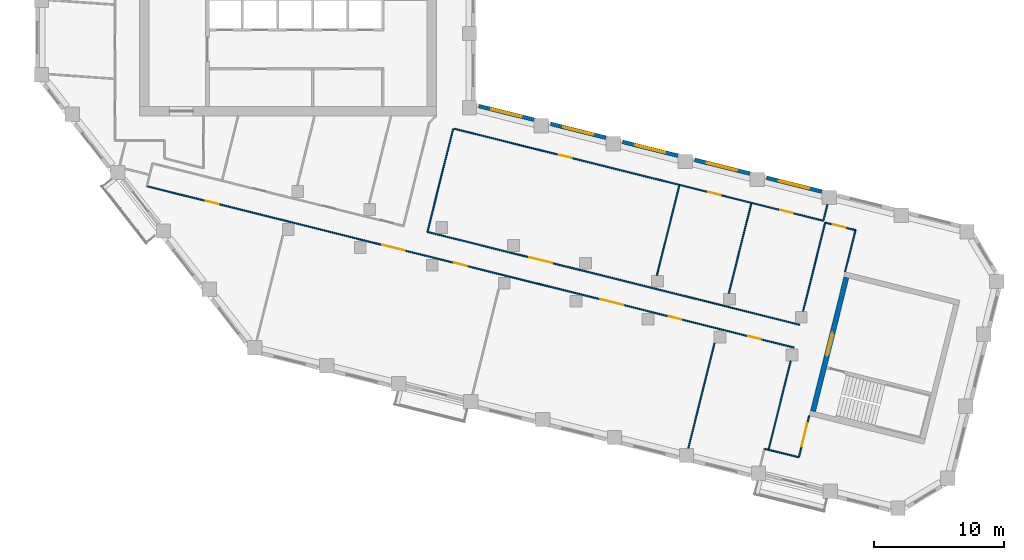
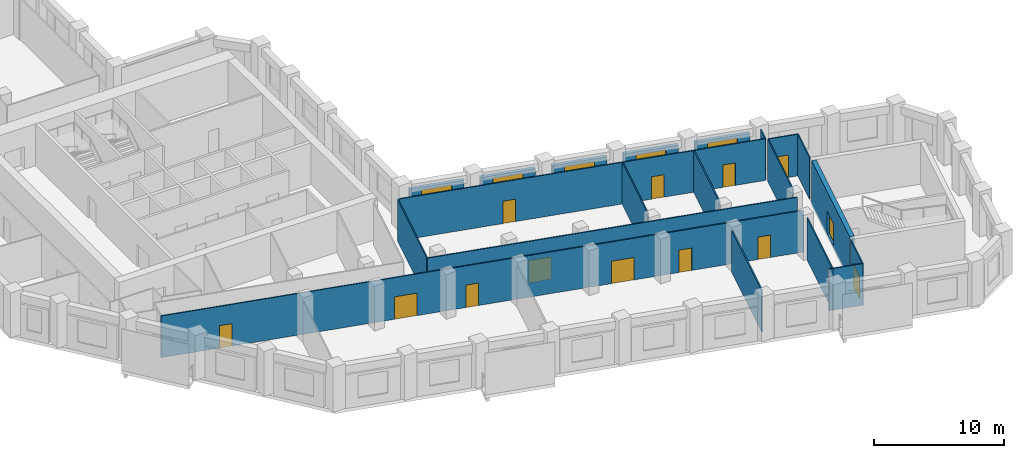
# One storey, part 4 of 10: 21 walls, 13 doors, 5 windows, 18 openings.
"""IFC4 building model written with IfcOpenShell, lengths in metres."""

from ifc_helpers import new_model, si_unit, direction, frame, frame_2d, origin, place, context, subcontext, project, spatial, rectangle, extrude, material, layer, layer_set, type_object, element, fill, save


model = new_model("IFC4")

# Units and contexts
model_context = context("Model", 3, precision=1e-05, world=origin(), true_north=direction((0.0, 1.0)))
body_context = subcontext(model_context, "Body", "Model", "MODEL_VIEW")
ifc_project = project(units=[si_unit("LENGTHUNIT", "METRE"), si_unit("AREAUNIT", "SQUARE_METRE"), si_unit("VOLUMEUNIT", "CUBIC_METRE"), si_unit("PLANEANGLEUNIT", "RADIAN"), si_unit("MASSUNIT", "GRAM", prefix="KILO")], contexts=[model_context])

# Site, building, storey
site_placement = place(None, origin())
site = spatial("IfcSite", under=ifc_project, at=site_placement, CompositionType="ELEMENT")
building_placement = place(site_placement, origin())
building = spatial("IfcBuilding", under=site, at=building_placement, Name="Meshkara Civic Tower", CompositionType="ELEMENT")
storey_placement = place(building_placement, frame((0.0, 0.0, 267.60009765625)))
storey = spatial("IfcBuildingStorey", under=building, at=storey_placement, Name="L61", CompositionType="ELEMENT", Elevation=267.60009765625)

# Wall, openings, doors
ifc_material_1 = material(Name="Corridor wall 100")
ifc_layer_1 = layer(ifc_material_1, 0.10009765625)
ifc_layer_set_1 = layer_set([ifc_layer_1], Name="Corridor wall 100")
wall_type_1 = type_object("IfcWallType", Name="Corridor wall 100", PredefinedType="PARTITIONING", material=ifc_layer_set_1)
wall_1_placement = place(storey_placement, frame((8.550048828125, 8.68505859375, 0.0), z_axis=(0.0, 0.0, 1.0), x_axis=(0.970298026101, -0.241912671319, 0.0)))
wall_1 = element("IfcWall", 1, at=wall_1_placement, inside=storey, type_object=wall_type_1, Name="L61-W006", PredefinedType="PARTITIONING", context=body_context, shape_type="SweptSolid", body=[
    extrude(rectangle(XDim=51.27490234375, YDim=0.10009765625, at=frame_2d((25.637451171875, 0.0))), origin(), (0.0, 0.0, 1.0), 3.89990234375),
])
opening_1_placement = place(wall_1_placement, frame((35.93994140625, 0.0, 0.0)))
opening_1 = element("IfcOpeningElement", 2, at=opening_1_placement, cuts=wall_1, Name="Opening L61-D002", PredefinedType="OPENING", context=body_context, shape_type="SweptSolid", body=[
    extrude(rectangle(XDim=1.800048828125, YDim=2.10009765625, at=frame_2d((0.89990234375, 1.050048828125))), frame((0.0, 0.06005859375, 0.0), z_axis=(0.0, -1.0, 0.0), x_axis=(1.0, 0.0, 0.0)), (0.0, 0.0, 1.0), 0.1201171875),
])
opening_2_placement = place(wall_1_placement, frame((41.340087890625, 0.0, 0.0)))
opening_2 = element("IfcOpeningElement", 3, at=opening_2_placement, cuts=wall_1, Name="Opening L61-D003", PredefinedType="OPENING", context=body_context, shape_type="SweptSolid", body=[
    extrude(rectangle(XDim=1.0, YDim=2.10009765625, at=frame_2d((0.5, 1.050048828125))), frame((0.0, 0.06005859375, 0.0), z_axis=(0.0, -1.0, 0.0), x_axis=(1.0, 0.0, 0.0)), (0.0, 0.0, 1.0), 0.1201171875),
])
opening_3_placement = place(wall_1_placement, frame((47.639892578125, 0.0, 0.0)))
opening_3 = element("IfcOpeningElement", 4, at=opening_3_placement, cuts=wall_1, Name="Opening L61-D004", PredefinedType="OPENING", context=body_context, shape_type="SweptSolid", body=[
    extrude(rectangle(XDim=1.0, YDim=2.10009765625, at=frame_2d((0.5, 1.050048828125))), frame((0.0, 0.06005859375, 0.0), z_axis=(0.0, -1.0, 0.0), x_axis=(1.0, 0.0, 0.0)), (0.0, 0.0, 1.0), 0.1201171875),
])
opening_4_placement = place(wall_1_placement, frame((18.638916015625, 0.0, 0.0)))
opening_4 = element("IfcOpeningElement", 5, at=opening_4_placement, cuts=wall_1, Name="Opening L61-D006", PredefinedType="OPENING", context=body_context, shape_type="SweptSolid", body=[
    extrude(rectangle(XDim=1.800048828125, YDim=2.10009765625, at=frame_2d((0.89990234375, 1.050048828125))), frame((0.0, 0.06005859375, 0.0), z_axis=(0.0, -1.0, 0.0), x_axis=(1.0, 0.0, 0.0)), (0.0, 0.0, 1.0), 0.1201171875),
])
opening_5_placement = place(wall_1_placement, frame((24.339111328125, 0.0, 0.0)))
opening_5 = element("IfcOpeningElement", 6, at=opening_5_placement, cuts=wall_1, Name="Opening L61-D007", PredefinedType="OPENING", context=body_context, shape_type="SweptSolid", body=[
    extrude(rectangle(XDim=1.0, YDim=2.10009765625, at=frame_2d((0.5, 1.050048828125))), frame((0.0, 0.06005859375, 0.0), z_axis=(0.0, -1.0, 0.0), x_axis=(1.0, 0.0, 0.0)), (0.0, 0.0, 1.0), 0.1201171875),
])
opening_6_placement = place(wall_1_placement, frame((4.679931640625, 0.0, 0.0)))
opening_6 = element("IfcOpeningElement", 7, at=opening_6_placement, cuts=wall_1, Name="Opening L61-D010", PredefinedType="OPENING", context=body_context, shape_type="SweptSolid", body=[
    extrude(rectangle(XDim=1.0, YDim=2.10009765625, at=frame_2d((0.5, 1.050048828125))), frame((0.0, 0.06005859375, 0.0), z_axis=(0.0, -1.0, 0.0), x_axis=(1.0, 0.0, 0.0)), (0.0, 0.0, 1.0), 0.1201171875),
])
ifc_material_2 = material(Name="Door 1000 x 2100")
door_type_1 = type_object("IfcDoorType", Name="Door 1000 x 2100", OperationType="SINGLE_SWING_LEFT", PredefinedType="DOOR", material=ifc_material_2)
door_1_placement = place(opening_2_placement, origin())
door_1 = element("IfcDoor", 8, at=door_1_placement, inside=storey, type_object=door_type_1, Name="L61-D003", OperationType="SINGLE_SWING_LEFT", OverallHeight=2.10009765625, OverallWidth=1.0, PredefinedType="DOOR", context=body_context, shape_type="SweptSolid", body=[
    extrude(rectangle(XDim=1.0, YDim=2.10009765625, at=frame_2d((0.5, 1.050048828125))), frame((0.0, 0.02490234375, 0.0), z_axis=(0.0, -1.0, 0.0), x_axis=(1.0, 0.0, 0.0)), (0.0, 0.0, 1.0), 0.050048828125),
])
fill(opening_2, door_1)
door_2_placement = place(opening_3_placement, origin())
door_2 = element("IfcDoor", 9, at=door_2_placement, inside=storey, type_object=door_type_1, Name="L61-D004", OperationType="SINGLE_SWING_RIGHT", OverallHeight=2.10009765625, OverallWidth=1.0, PredefinedType="DOOR", context=body_context, shape_type="SweptSolid", body=[
    extrude(rectangle(XDim=1.0, YDim=2.10009765625, at=frame_2d((0.5, 1.050048828125))), frame((0.0, 0.02490234375, 0.0), z_axis=(0.0, -1.0, 0.0), x_axis=(1.0, 0.0, 0.0)), (0.0, 0.0, 1.0), 0.050048828125),
])
fill(opening_3, door_2)
door_3_placement = place(opening_5_placement, origin())
door_3 = element("IfcDoor", 10, at=door_3_placement, inside=storey, type_object=door_type_1, Name="L61-D007", OperationType="SINGLE_SWING_LEFT", OverallHeight=2.10009765625, OverallWidth=1.0, PredefinedType="DOOR", context=body_context, shape_type="SweptSolid", body=[
    extrude(rectangle(XDim=1.0, YDim=2.10009765625, at=frame_2d((0.5, 1.050048828125))), frame((0.0, 0.02490234375, 0.0), z_axis=(0.0, -1.0, 0.0), x_axis=(1.0, 0.0, 0.0)), (0.0, 0.0, 1.0), 0.050048828125),
])
fill(opening_5, door_3)
door_4_placement = place(opening_6_placement, origin())
door_4 = element("IfcDoor", 11, at=door_4_placement, inside=storey, type_object=door_type_1, Name="L61-D010", OperationType="SINGLE_SWING_RIGHT", OverallHeight=2.10009765625, OverallWidth=1.0, PredefinedType="DOOR", context=body_context, shape_type="SweptSolid", body=[
    extrude(rectangle(XDim=1.0, YDim=2.10009765625, at=frame_2d((0.5, 1.050048828125))), frame((0.0, 0.02490234375, 0.0), z_axis=(0.0, -1.0, 0.0), x_axis=(1.0, 0.0, 0.0)), (0.0, 0.0, 1.0), 0.050048828125),
])
fill(opening_6, door_4)
ifc_material_3 = material(Name="Door pair 1800 x 2100")
door_type_2 = type_object("IfcDoorType", Name="Door pair 1800 x 2100", OperationType="SINGLE_SWING_LEFT", PredefinedType="DOOR", material=ifc_material_3)
door_5_placement = place(opening_1_placement, origin())
door_5 = element("IfcDoor", 12, at=door_5_placement, inside=storey, type_object=door_type_2, Name="L61-D002", OperationType="DOUBLE_DOOR_SINGLE_SWING", OverallHeight=2.10009765625, OverallWidth=1.800048828125, PredefinedType="DOOR", context=body_context, shape_type="SweptSolid", body=[
    extrude(rectangle(XDim=1.800048828125, YDim=2.10009765625, at=frame_2d((0.89990234375, 1.050048828125))), frame((0.0, 0.02490234375, 0.0), z_axis=(0.0, -1.0, 0.0), x_axis=(1.0, 0.0, 0.0)), (0.0, 0.0, 1.0), 0.050048828125),
])
fill(opening_1, door_5)
door_6_placement = place(opening_4_placement, origin())
door_6 = element("IfcDoor", 13, at=door_6_placement, inside=storey, type_object=door_type_2, Name="L61-D006", OperationType="DOUBLE_DOOR_SINGLE_SWING", OverallHeight=2.10009765625, OverallWidth=1.800048828125, PredefinedType="DOOR", context=body_context, shape_type="SweptSolid", body=[
    extrude(rectangle(XDim=1.800048828125, YDim=2.10009765625, at=frame_2d((0.89990234375, 1.050048828125))), frame((0.0, 0.02490234375, 0.0), z_axis=(0.0, -1.0, 0.0), x_axis=(1.0, 0.0, 0.0)), (0.0, 0.0, 1.0), 0.050048828125),
])
fill(opening_4, door_6)

# Wall, opening, door
wall_2_placement = place(storey_placement, frame((30.1201171875, 5.1708984375, 0.0), z_axis=(0.0, 0.0, 1.0), x_axis=(0.970293732398, -0.241929892467, 0.0)))
wall_2 = element("IfcWall", 14, at=wall_2_placement, inside=storey, type_object=wall_type_1, Name="L61-W021", PredefinedType="PARTITIONING", context=body_context, shape_type="SweptSolid", body=[
    extrude(rectangle(XDim=29.49609375, YDim=0.10009765625, at=frame_2d((14.748046875, 0.0))), origin(), (0.0, 0.0, 1.0), 3.89990234375),
])
opening_7_placement = place(wall_2_placement, frame((8.080078125, 0.0, 0.0)))
opening_7 = element("IfcOpeningElement", 15, at=opening_7_placement, cuts=wall_2, Name="Opening L61-D008", PredefinedType="OPENING", context=body_context, shape_type="SweptSolid", body=[
    extrude(rectangle(XDim=1.800048828125, YDim=2.10009765625, at=frame_2d((0.89990234375, 1.050048828125))), frame((0.0, 0.06005859375, 0.0), z_axis=(0.0, -1.0, 0.0), x_axis=(1.0, 0.0, 0.0)), (0.0, 0.0, 1.0), 0.1201171875),
])
door_7_placement = place(opening_7_placement, origin())
door_7 = element("IfcDoor", 16, at=door_7_placement, inside=storey, type_object=door_type_2, Name="L61-D008", OperationType="DOUBLE_DOOR_SINGLE_SWING", OverallHeight=2.10009765625, OverallWidth=1.800048828125, PredefinedType="DOOR", context=body_context, shape_type="SweptSolid", body=[
    extrude(rectangle(XDim=1.800048828125, YDim=2.10009765625, at=frame_2d((0.89990234375, 1.050048828125))), frame((0.0, 0.02490234375, 0.0), z_axis=(0.0, -1.0, 0.0), x_axis=(1.0, 0.0, 0.0)), (0.0, 0.0, 1.0), 0.050048828125),
])
fill(opening_7, door_7)

# Wall
wall_3_placement = place(storey_placement, frame((30.1201171875, 5.1708984375, 0.0), z_axis=(0.0, 0.0, 1.0), x_axis=(0.241902913229, 0.970300458915, 0.0)))
element("IfcWall", 17, at=wall_3_placement, inside=storey, type_object=wall_type_1, Name="L61-W022", PredefinedType="PARTITIONING", context=body_context, shape_type="SweptSolid", body=[
    extrude(rectangle(XDim=8.171875, YDim=0.10009765625, at=frame_2d((4.0859375, 0.0))), origin(), (0.0, 0.0, 1.0), 3.89990234375),
])

# Wall, openings, doors
wall_4_placement = place(storey_placement, frame((32.196044921875, 13.10009765625, 0.0), z_axis=(0.0, 0.0, 1.0), x_axis=(0.970294627208, -0.241926303678, 0.0)))
wall_4 = element("IfcWall", 18, at=wall_4_placement, inside=storey, type_object=wall_type_1, Name="L61-W026", PredefinedType="PARTITIONING", context=body_context, shape_type="SweptSolid", body=[
    extrude(rectangle(XDim=29.22802734375, YDim=0.10009765625, at=frame_2d((14.614013671875, 0.0))), origin(), (0.0, 0.0, 1.0), 3.89990234375),
])
opening_8_placement = place(wall_4_placement, frame((8.280029296875, 0.0, 0.0)))
opening_8 = element("IfcOpeningElement", 19, at=opening_8_placement, cuts=wall_4, Name="Opening L61-D013", PredefinedType="OPENING", context=body_context, shape_type="SweptSolid", body=[
    extrude(rectangle(XDim=1.0, YDim=2.10009765625, at=frame_2d((0.5, 1.050048828125))), frame((0.0, 0.06005859375, 0.0), z_axis=(0.0, -1.0, 0.0), x_axis=(1.0, 0.0, 0.0)), (0.0, 0.0, 1.0), 0.1201171875),
])
opening_9_placement = place(wall_4_placement, frame((20.10791015625, 0.0, 0.0)))
opening_9 = element("IfcOpeningElement", 20, at=opening_9_placement, cuts=wall_4, Name="Opening L61-D014", PredefinedType="OPENING", context=body_context, shape_type="SweptSolid", body=[
    extrude(rectangle(XDim=1.0, YDim=2.10009765625, at=frame_2d((0.5, 1.050048828125))), frame((0.0, 0.06005859375, 0.0), z_axis=(0.0, -1.0, 0.0), x_axis=(1.0, 0.0, 0.0)), (0.0, 0.0, 1.0), 0.1201171875),
])
opening_10_placement = place(wall_4_placement, frame((25.80810546875, 0.0, 0.0)))
opening_10 = element("IfcOpeningElement", 21, at=opening_10_placement, cuts=wall_4, Name="Opening L61-D015", PredefinedType="OPENING", context=body_context, shape_type="SweptSolid", body=[
    extrude(rectangle(XDim=1.0, YDim=2.10009765625, at=frame_2d((0.5, 1.050048828125))), frame((0.0, 0.06005859375, 0.0), z_axis=(0.0, -1.0, 0.0), x_axis=(1.0, 0.0, 0.0)), (0.0, 0.0, 1.0), 0.1201171875),
])
door_8_placement = place(opening_8_placement, origin())
door_8 = element("IfcDoor", 22, at=door_8_placement, inside=storey, type_object=door_type_1, Name="L61-D013", OperationType="SINGLE_SWING_RIGHT", OverallHeight=2.10009765625, OverallWidth=1.0, PredefinedType="DOOR", context=body_context, shape_type="SweptSolid", body=[
    extrude(rectangle(XDim=1.0, YDim=2.10009765625, at=frame_2d((0.5, 1.050048828125))), frame((0.0, 0.02490234375, 0.0), z_axis=(0.0, -1.0, 0.0), x_axis=(1.0, 0.0, 0.0)), (0.0, 0.0, 1.0), 0.050048828125),
])
fill(opening_8, door_8)
door_9_placement = place(opening_9_placement, origin())
door_9 = element("IfcDoor", 23, at=door_9_placement, inside=storey, type_object=door_type_1, Name="L61-D014", OperationType="SINGLE_SWING_RIGHT", OverallHeight=2.10009765625, OverallWidth=1.0, PredefinedType="DOOR", context=body_context, shape_type="SweptSolid", body=[
    extrude(rectangle(XDim=1.0, YDim=2.10009765625, at=frame_2d((0.5, 1.050048828125))), frame((0.0, 0.02490234375, 0.0), z_axis=(0.0, -1.0, 0.0), x_axis=(1.0, 0.0, 0.0)), (0.0, 0.0, 1.0), 0.050048828125),
])
fill(opening_9, door_9)
door_10_placement = place(opening_10_placement, origin())
door_10 = element("IfcDoor", 24, at=door_10_placement, inside=storey, type_object=door_type_1, Name="L61-D015", OperationType="SINGLE_SWING_RIGHT", OverallHeight=2.10009765625, OverallWidth=1.0, PredefinedType="DOOR", context=body_context, shape_type="SweptSolid", body=[
    extrude(rectangle(XDim=1.0, YDim=2.10009765625, at=frame_2d((0.5, 1.050048828125))), frame((0.0, 0.02490234375, 0.0), z_axis=(0.0, -1.0, 0.0), x_axis=(1.0, 0.0, 0.0)), (0.0, 0.0, 1.0), 0.050048828125),
])
fill(opening_10, door_10)

# Walls
wall_5_placement = place(storey_placement, frame((56.343994140625, -11.574951171875, 0.0), z_axis=(0.0, 0.0, 1.0), x_axis=(0.970333736057, -0.241769395645, 0.0)))
element("IfcWall", 25, at=wall_5_placement, inside=storey, type_object=wall_type_1, Name="L61-W027", PredefinedType="PARTITIONING", context=body_context, shape_type="SweptSolid", body=[
    extrude(rectangle(XDim=2.3994140625, YDim=0.10009765625, at=frame_2d((1.19970703125, 0.0))), origin(), (0.0, 0.0, 1.0), 3.89990234375),
])
wall_6_placement = place(storey_placement, frame((58.047119140625, -4.741943359375, 0.0), z_axis=(0.0, 0.0, 1.0), x_axis=(-0.241882891004, -0.970305450381, 0.0)))
element("IfcWall", 26, at=wall_6_placement, inside=storey, type_object=wall_type_1, Name="L61-W028", PredefinedType="PARTITIONING", context=body_context, shape_type="SweptSolid", body=[
    extrude(rectangle(XDim=7.041015625, YDim=0.10009765625, at=frame_2d((3.5205078125, 0.0))), origin(), (0.0, 0.0, 1.0), 3.89990234375),
])

# Wall, opening, door
wall_7_placement = place(storey_placement, frame((58.672119140625, -12.155029296875, 0.0), z_axis=(0.0, 0.0, 1.0), x_axis=(0.242048225647, 0.970264219922, 0.0)))
wall_7 = element("IfcWall", 27, at=wall_7_placement, inside=storey, type_object=wall_type_1, Name="L61-W029", PredefinedType="PARTITIONING", context=body_context, shape_type="SweptSolid", body=[
    extrude(rectangle(XDim=3.30029296875, YDim=0.10009765625, at=frame_2d((1.650146484375, 0.0))), origin(), (0.0, 0.0, 1.0), 3.89990234375),
])
opening_11_placement = place(wall_7_placement, frame((0.8798828125, 0.0, 0.0)))
opening_11 = element("IfcOpeningElement", 28, at=opening_11_placement, cuts=wall_7, Name="Opening L61-D001", PredefinedType="OPENING", context=body_context, shape_type="SweptSolid", body=[
    extrude(rectangle(XDim=1.800048828125, YDim=2.10009765625, at=frame_2d((0.89990234375, 1.050048828125))), frame((0.0, 0.06005859375, 0.0), z_axis=(0.0, -1.0, 0.0), x_axis=(1.0, 0.0, 0.0)), (0.0, 0.0, 1.0), 0.1201171875),
])
door_11_placement = place(opening_11_placement, origin())
door_11 = element("IfcDoor", 29, at=door_11_placement, inside=storey, type_object=door_type_2, Name="L61-D001", OperationType="DOUBLE_DOOR_SINGLE_SWING", OverallHeight=2.10009765625, OverallWidth=1.800048828125, PredefinedType="DOOR", context=body_context, shape_type="SweptSolid", body=[
    extrude(rectangle(XDim=1.800048828125, YDim=2.10009765625, at=frame_2d((0.89990234375, 1.050048828125))), frame((0.0, 0.02490234375, 0.0), z_axis=(0.0, -1.0, 0.0), x_axis=(1.0, 0.0, 0.0)), (0.0, 0.0, 1.0), 0.050048828125),
])
fill(opening_11, door_11)

# Walls
wall_8_placement = place(storey_placement, frame((60.555908203125, 6.029052734375, 0.0), z_axis=(0.0, 0.0, 1.0), x_axis=(0.24168476558, 0.970354818655, 0.0)))
element("IfcWall", 30, at=wall_8_placement, inside=storey, type_object=wall_type_1, Name="L61-W030", PredefinedType="PARTITIONING", context=body_context, shape_type="SweptSolid", body=[
    extrude(rectangle(XDim=1.282958984375, YDim=0.10009765625, at=frame_2d((0.6416015625, 0.0))), origin(), (0.0, 0.0, 1.0), 3.89990234375),
])
wall_9_placement = place(storey_placement, frame((60.697998046875, 5.89111328125, 0.0), z_axis=(0.0, 0.0, 1.0), x_axis=(-0.241890198624, -0.97030362867, 0.0)))
element("IfcWall", 31, at=wall_9_placement, inside=storey, type_object=wall_type_1, Name="L61-W031", PredefinedType="PARTITIONING", context=body_context, shape_type="SweptSolid", body=[
    extrude(rectangle(XDim=7.03173828125, YDim=0.10009765625, at=frame_2d((3.515869140625, 0.0))), origin(), (0.0, 0.0, 1.0), 3.89990234375),
])
wall_10_placement = place(storey_placement, frame((62.22900390625, 2.10791015625, 0.0), z_axis=(0.0, 0.0, 1.0), x_axis=(0.241839284064, 0.97031631991, 0.0)))
element("IfcWall", 32, at=wall_10_placement, inside=storey, type_object=wall_type_1, Name="L61-W032", PredefinedType="PARTITIONING", context=body_context, shape_type="SweptSolid", body=[
    extrude(rectangle(XDim=3.300048828125, YDim=0.10009765625, at=frame_2d((1.64990234375, 0.0))), origin(), (0.0, 0.0, 1.0), 3.89990234375),
])

# Wall, opening, door
wall_11_placement = place(storey_placement, frame((63.027099609375, 5.31005859375, 0.0), z_axis=(0.0, 0.0, 1.0), x_axis=(-0.970262034576, 0.242056985565, 0.0)))
wall_11 = element("IfcWall", 33, at=wall_11_placement, inside=storey, type_object=wall_type_1, Name="L61-W033", PredefinedType="PARTITIONING", context=body_context, shape_type="SweptSolid", body=[
    extrude(rectangle(XDim=2.400390625, YDim=0.10009765625, at=frame_2d((1.2001953125, 0.0))), origin(), (0.0, 0.0, 1.0), 3.89990234375),
])
opening_12_placement = place(wall_11_placement, frame((0.780029296875, 0.0, 0.0)))
opening_12 = element("IfcOpeningElement", 34, at=opening_12_placement, cuts=wall_11, Name="Opening L61-D009", PredefinedType="OPENING", context=body_context, shape_type="SweptSolid", body=[
    extrude(rectangle(XDim=1.0, YDim=2.10009765625, at=frame_2d((0.5, 1.050048828125))), frame((0.0, 0.06005859375, 0.0), z_axis=(0.0, -1.0, 0.0), x_axis=(1.0, 0.0, 0.0)), (0.0, 0.0, 1.0), 0.1201171875),
])
door_12_placement = place(opening_12_placement, origin())
door_12 = element("IfcDoor", 35, at=door_12_placement, inside=storey, type_object=door_type_1, Name="L61-D009", OperationType="SINGLE_SWING_LEFT", OverallHeight=2.10009765625, OverallWidth=1.0, PredefinedType="DOOR", context=body_context, shape_type="SweptSolid", body=[
    extrude(rectangle(XDim=1.0, YDim=2.10009765625, at=frame_2d((0.5, 1.050048828125))), frame((0.0, 0.02490234375, 0.0), z_axis=(0.0, -1.0, 0.0), x_axis=(1.0, 0.0, 0.0)), (0.0, 0.0, 1.0), 0.050048828125),
])
fill(opening_12, door_12)

# Wall, opening, window
ifc_material_4 = material(Name="Insulated infill panel with bronze anodised aluminium cladding", Category="aluminium")
ifc_layer_2 = layer(ifc_material_4, 0.300048828125)
ifc_layer_set_2 = layer_set([ifc_layer_2], Name="EXTERNAL INFILL WALL 300")
wall_type_2 = type_object("IfcWallType", Name="EXTERNAL INFILL WALL 300", PredefinedType="SOLIDWALL", material=ifc_layer_set_2)
wall_12_placement = place(storey_placement, frame((60.428955078125, 8.277099609375, 0.0), z_axis=(0.0, 0.0, 1.0), x_axis=(-0.97030676369, 0.241877622649, 0.0)))
wall_12 = element("IfcWall", 36, at=wall_12_placement, inside=storey, type_object=wall_type_2, Name="External wall", PredefinedType="SOLIDWALL", context=body_context, shape_type="SweptSolid", body=[
    extrude(rectangle(XDim=4.365478515625, YDim=0.300048828125, at=frame_2d((2.1826171875, 0.0))), origin(), (0.0, 0.0, 1.0), 3.14990234375),
])
opening_13_placement = place(wall_12_placement, frame((0.98291015625, 0.0, 0.800048828125)))
opening_13 = element("IfcOpeningElement", 37, at=opening_13_placement, cuts=wall_12, Name="Opening W7", PredefinedType="OPENING", context=body_context, shape_type="SweptSolid", body=[
    extrude(rectangle(XDim=2.39990234375, YDim=2.10009765625, at=frame_2d((1.199951171875, 1.050048828125))), frame((0.0, 0.159912109375, 0.0), z_axis=(0.0, -1.0, 0.0), x_axis=(1.0, 0.0, 0.0)), (0.0, 0.0, 1.0), 0.320068359375),
])
ifc_material_5 = material(Name="Tinted double glazing", Category="glass")
window_type = type_object("IfcWindowType", Name="WINDOW 2400x2100", PartitioningType="DOUBLE_PANEL_VERTICAL", PredefinedType="WINDOW", material=ifc_material_5)
window_1_placement = place(opening_13_placement, origin())
window_1 = element("IfcWindow", 38, at=window_1_placement, inside=storey, type_object=window_type, Name="Window", OverallHeight=2.10009765625, OverallWidth=2.39990234375, PartitioningType="DOUBLE_PANEL_VERTICAL", PredefinedType="WINDOW", context=body_context, shape_type="SweptSolid", body=[
    extrude(rectangle(XDim=2.39990234375, YDim=2.10009765625, at=frame_2d((1.199951171875, 1.050048828125))), frame((0.0, 0.030029296875, 0.0), z_axis=(0.0, -1.0, 0.0), x_axis=(1.0, 0.0, 0.0)), (0.0, 0.0, 1.0), 0.06005859375),
])
fill(opening_13, window_1)

wall_13_placement = place(storey_placement, frame((54.89892578125, 9.656005859375, 0.0), z_axis=(0.0, 0.0, 1.0), x_axis=(-0.970319847058, 0.241825131873, 0.0)))
wall_13 = element("IfcWall", 39, at=wall_13_placement, inside=storey, type_object=wall_type_2, Name="External wall", PredefinedType="SOLIDWALL", context=body_context, shape_type="SweptSolid", body=[
    extrude(rectangle(XDim=4.366455078125, YDim=0.300048828125, at=frame_2d((2.18310546875, 0.0))), origin(), (0.0, 0.0, 1.0), 3.14990234375),
])
opening_14_placement = place(wall_13_placement, frame((0.98291015625, 0.0, 0.800048828125)))
opening_14 = element("IfcOpeningElement", 40, at=opening_14_placement, cuts=wall_13, Name="Opening W7", PredefinedType="OPENING", context=body_context, shape_type="SweptSolid", body=[
    extrude(rectangle(XDim=2.39990234375, YDim=2.10009765625, at=frame_2d((1.199951171875, 1.050048828125))), frame((0.0, 0.159912109375, 0.0), z_axis=(0.0, -1.0, 0.0), x_axis=(1.0, 0.0, 0.0)), (0.0, 0.0, 1.0), 0.320068359375),
])
window_2_placement = place(opening_14_placement, origin())
window_2 = element("IfcWindow", 41, at=window_2_placement, inside=storey, type_object=window_type, Name="Window", OverallHeight=2.10009765625, OverallWidth=2.39990234375, PartitioningType="DOUBLE_PANEL_VERTICAL", PredefinedType="WINDOW", context=body_context, shape_type="SweptSolid", body=[
    extrude(rectangle(XDim=2.39990234375, YDim=2.10009765625, at=frame_2d((1.199951171875, 1.050048828125))), frame((0.0, 0.030029296875, 0.0), z_axis=(0.0, -1.0, 0.0), x_axis=(1.0, 0.0, 0.0)), (0.0, 0.0, 1.0), 0.06005859375),
])
fill(opening_14, window_2)

wall_14_placement = place(storey_placement, frame((49.367919921875, 11.034912109375, 0.0), z_axis=(0.0, 0.0, 1.0), x_axis=(-0.970306725873, 0.241877774353, 0.0)))
wall_14 = element("IfcWall", 42, at=wall_14_placement, inside=storey, type_object=wall_type_2, Name="External wall", PredefinedType="SOLIDWALL", context=body_context, shape_type="SweptSolid", body=[
    extrude(rectangle(XDim=4.366455078125, YDim=0.300048828125, at=frame_2d((2.18310546875, 0.0))), origin(), (0.0, 0.0, 1.0), 3.14990234375),
])
opening_15_placement = place(wall_14_placement, frame((0.98291015625, 0.0, 0.800048828125)))
opening_15 = element("IfcOpeningElement", 43, at=opening_15_placement, cuts=wall_14, Name="Opening W7", PredefinedType="OPENING", context=body_context, shape_type="SweptSolid", body=[
    extrude(rectangle(XDim=2.39990234375, YDim=2.10009765625, at=frame_2d((1.199951171875, 1.050048828125))), frame((0.0, 0.159912109375, 0.0), z_axis=(0.0, -1.0, 0.0), x_axis=(1.0, 0.0, 0.0)), (0.0, 0.0, 1.0), 0.320068359375),
])
window_3_placement = place(opening_15_placement, origin())
window_3 = element("IfcWindow", 44, at=window_3_placement, inside=storey, type_object=window_type, Name="Window", OverallHeight=2.10009765625, OverallWidth=2.39990234375, PartitioningType="DOUBLE_PANEL_VERTICAL", PredefinedType="WINDOW", context=body_context, shape_type="SweptSolid", body=[
    extrude(rectangle(XDim=2.39990234375, YDim=2.10009765625, at=frame_2d((1.199951171875, 1.050048828125))), frame((0.0, 0.030029296875, 0.0), z_axis=(0.0, -1.0, 0.0), x_axis=(1.0, 0.0, 0.0)), (0.0, 0.0, 1.0), 0.06005859375),
])
fill(opening_15, window_3)

wall_15_placement = place(storey_placement, frame((43.8369140625, 12.4140625, 0.0), z_axis=(0.0, 0.0, 1.0), x_axis=(-0.97030676369, 0.241877622649, 0.0)))
wall_15 = element("IfcWall", 45, at=wall_15_placement, inside=storey, type_object=wall_type_2, Name="External wall", PredefinedType="SOLIDWALL", context=body_context, shape_type="SweptSolid", body=[
    extrude(rectangle(XDim=4.365478515625, YDim=0.300048828125, at=frame_2d((2.1826171875, 0.0))), origin(), (0.0, 0.0, 1.0), 3.14990234375),
])
opening_16_placement = place(wall_15_placement, frame((0.98291015625, 0.0, 0.800048828125)))
opening_16 = element("IfcOpeningElement", 46, at=opening_16_placement, cuts=wall_15, Name="Opening W7", PredefinedType="OPENING", context=body_context, shape_type="SweptSolid", body=[
    extrude(rectangle(XDim=2.39990234375, YDim=2.10009765625, at=frame_2d((1.199951171875, 1.050048828125))), frame((0.0, 0.159912109375, 0.0), z_axis=(0.0, -1.0, 0.0), x_axis=(1.0, 0.0, 0.0)), (0.0, 0.0, 1.0), 0.320068359375),
])
window_4_placement = place(opening_16_placement, origin())
window_4 = element("IfcWindow", 47, at=window_4_placement, inside=storey, type_object=window_type, Name="Window", OverallHeight=2.10009765625, OverallWidth=2.39990234375, PartitioningType="DOUBLE_PANEL_VERTICAL", PredefinedType="WINDOW", context=body_context, shape_type="SweptSolid", body=[
    extrude(rectangle(XDim=2.39990234375, YDim=2.10009765625, at=frame_2d((1.199951171875, 1.050048828125))), frame((0.0, 0.030029296875, 0.0), z_axis=(0.0, -1.0, 0.0), x_axis=(1.0, 0.0, 0.0)), (0.0, 0.0, 1.0), 0.06005859375),
])
fill(opening_16, window_4)

wall_16_placement = place(storey_placement, frame((38.306884765625, 13.79296875, 0.0), z_axis=(0.0, 0.0, 1.0), x_axis=(-0.970306725873, 0.241877774353, 0.0)))
wall_16 = element("IfcWall", 48, at=wall_16_placement, inside=storey, type_object=wall_type_2, Name="External wall", PredefinedType="SOLIDWALL", context=body_context, shape_type="SweptSolid", body=[
    extrude(rectangle(XDim=4.366455078125, YDim=0.300048828125, at=frame_2d((2.18310546875, 0.0))), origin(), (0.0, 0.0, 1.0), 3.14990234375),
])
opening_17_placement = place(wall_16_placement, frame((0.98291015625, 0.0, 0.800048828125)))
opening_17 = element("IfcOpeningElement", 49, at=opening_17_placement, cuts=wall_16, Name="Opening W7", PredefinedType="OPENING", context=body_context, shape_type="SweptSolid", body=[
    extrude(rectangle(XDim=2.39990234375, YDim=2.10009765625, at=frame_2d((1.199951171875, 1.050048828125))), frame((0.0, 0.159912109375, 0.0), z_axis=(0.0, -1.0, 0.0), x_axis=(1.0, 0.0, 0.0)), (0.0, 0.0, 1.0), 0.320068359375),
])
window_5_placement = place(opening_17_placement, origin())
window_5 = element("IfcWindow", 50, at=window_5_placement, inside=storey, type_object=window_type, Name="Window", OverallHeight=2.10009765625, OverallWidth=2.39990234375, PartitioningType="DOUBLE_PANEL_VERTICAL", PredefinedType="WINDOW", context=body_context, shape_type="SweptSolid", body=[
    extrude(rectangle(XDim=2.39990234375, YDim=2.10009765625, at=frame_2d((1.199951171875, 1.050048828125))), frame((0.0, 0.030029296875, 0.0), z_axis=(0.0, -1.0, 0.0), x_axis=(1.0, 0.0, 0.0)), (0.0, 0.0, 1.0), 0.06005859375),
])
fill(opening_17, window_5)

# Wall, opening, door
ifc_material_6 = material(Name="Concrete C60", Category="concrete")
ifc_layer_3 = layer(ifc_material_6, 0.39990234375)
ifc_layer_set_3 = layer_set([ifc_layer_3], Name="End core ring wall 400 C60")
wall_type_3 = type_object("IfcWallType", Name="End core ring wall 400 C60", PredefinedType="SHEAR", material=ifc_layer_set_3)
wall_17_placement = place(storey_placement, frame((59.760986328125, -8.613037109375, -0.300048828125), z_axis=(0.0, 0.0, 1.0), x_axis=(0.241971982666, 0.970283236795, 0.0)))
wall_17 = element("IfcWall", 51, at=wall_17_placement, inside=storey, type_object=wall_type_3, Name="L61-C029", PredefinedType="SHEAR", context=body_context, shape_type="SweptSolid", body=[
    extrude(rectangle(XDim=10.60009765625, YDim=0.39990234375, at=frame_2d((5.300048828125, 0.0))), origin(), (0.0, 0.0, 1.0), 4.199951171875),
])
opening_18_placement = place(wall_17_placement, frame((4.39990234375, 0.0, 0.300048828125)))
opening_18 = element("IfcOpeningElement", 52, at=opening_18_placement, cuts=wall_17, Name="Opening L61-K202", PredefinedType="OPENING", context=body_context, shape_type="SweptSolid", body=[
    extrude(rectangle(XDim=1.800048828125, YDim=2.10009765625, at=frame_2d((0.89990234375, 1.050048828125))), frame((0.0, 0.2099609375, 0.0), z_axis=(0.0, -1.0, 0.0), x_axis=(1.0, 0.0, 0.0)), (0.0, 0.0, 1.0), 0.419921875),
])
ifc_material_7 = material(Name="Fire-rated door leaf in steel frame", Category="steel")
door_type_3 = type_object("IfcDoorType", Name="Core double door 1800 EI 60", OperationType="DOUBLE_DOOR_SINGLE_SWING", PredefinedType="DOOR", material=ifc_material_7)
door_13_placement = place(opening_18_placement, origin())
door_13 = element("IfcDoor", 53, at=door_13_placement, inside=storey, type_object=door_type_3, Name="L61-K202", OperationType="DOUBLE_DOOR_SINGLE_SWING", OverallHeight=2.10009765625, OverallWidth=1.800048828125, PredefinedType="DOOR", context=body_context, shape_type="SweptSolid", body=[
    extrude(rectangle(XDim=1.800048828125, YDim=2.10009765625, at=frame_2d((0.89990234375, 1.050048828125))), frame((0.0, 0.02490234375, 0.0), z_axis=(0.0, -1.0, 0.0), x_axis=(1.0, 0.0, 0.0)), (0.0, 0.0, 1.0), 0.050048828125),
])
fill(opening_18, door_13)

# Walls
ifc_material_8 = material(Name="Partition 100")
ifc_layer_4 = layer(ifc_material_8, 0.10009765625)
ifc_layer_set_4 = layer_set([ifc_layer_4], Name="Partition 100")
wall_type_4 = type_object("IfcWallType", Name="Partition 100", PredefinedType="PARTITIONING", material=ifc_layer_set_4)
wall_18_placement = place(storey_placement, frame((47.759033203125, 1.825927734375, 0.0), z_axis=(0.0, 0.0, 1.0), x_axis=(0.24198725093, 0.970279429024, 0.0)))
element("IfcWall", 54, at=wall_18_placement, inside=storey, type_object=wall_type_4, Name="L61-W047", PredefinedType="PARTITIONING", context=body_context, shape_type="SweptSolid", body=[
    extrude(rectangle(XDim=7.123779296875, YDim=0.10009765625, at=frame_2d((3.56201171875, 0.0))), origin(), (0.0, 0.0, 1.0), 3.89990234375),
])
wall_19_placement = place(storey_placement, frame((50.173095703125, -11.4609375, 0.0), z_axis=(0.0, 0.0, 1.0), x_axis=(0.241922908837, 0.970295473647, 0.0)))
element("IfcWall", 55, at=wall_19_placement, inside=storey, type_object=wall_type_4, Name="L61-W048", PredefinedType="PARTITIONING", context=body_context, shape_type="SweptSolid", body=[
    extrude(rectangle(XDim=8.3447265625, YDim=0.10009765625, at=frame_2d((4.17236328125, 0.0))), origin(), (0.0, 0.0, 1.0), 3.89990234375),
])
wall_20_placement = place(storey_placement, frame((53.2900390625, 0.447021484375, 0.0), z_axis=(0.0, 0.0, 1.0), x_axis=(0.241995297848, 0.970277422091, 0.0)))
element("IfcWall", 56, at=wall_20_placement, inside=storey, type_object=wall_type_4, Name="L61-W049", PredefinedType="PARTITIONING", context=body_context, shape_type="SweptSolid", body=[
    extrude(rectangle(XDim=7.12353515625, YDim=0.10009765625, at=frame_2d((3.561767578125, 0.0))), origin(), (0.0, 0.0, 1.0), 3.89990234375),
])
wall_21_placement = place(storey_placement, frame((56.0380859375, -11.498046875, 0.0), z_axis=(0.0, 0.0, 1.0), x_axis=(0.970551186262, -0.240894987173, 0.0)))
element("IfcWall", 57, at=wall_21_placement, inside=storey, type_object=wall_type_4, Name="L61-W051", PredefinedType="PARTITIONING", context=body_context, shape_type="SweptSolid", body=[
    extrude(rectangle(XDim=0.315185546875, YDim=0.10009765625, at=frame_2d((0.15771484375, 0.0))), origin(), (0.0, 0.0, 1.0), 3.89990234375),
])

save(model, "model.ifc")
